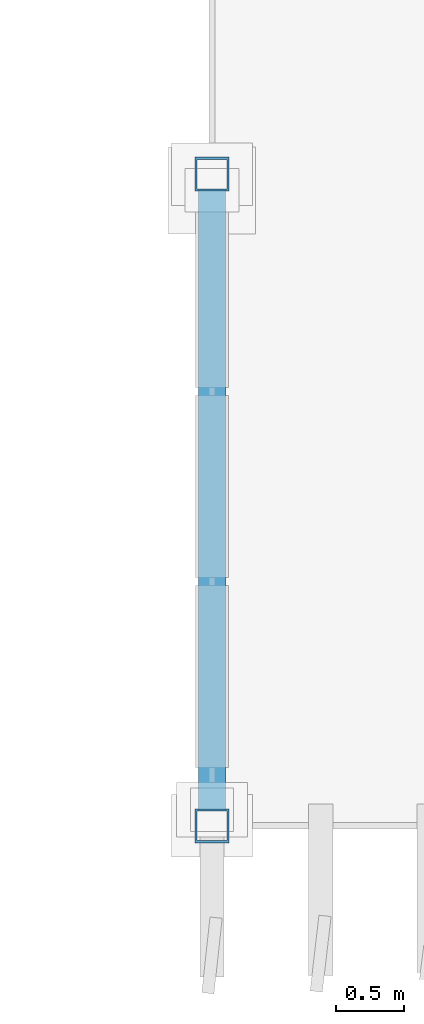
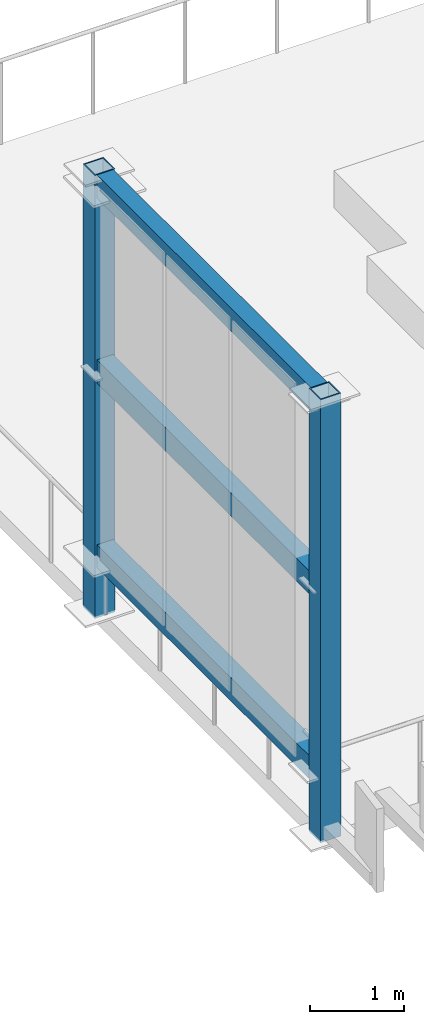
# One storey, part 12 of 45: 5 members.
"""IFC4 building model written with IfcOpenShell, lengths in metres."""

from ifc_helpers import new_model, si_unit, direction, frame, origin, origin_2d, place, context, subcontext, project, spatial, hollow_rectangle, extrude, material, material_profile, profile_set, type_object, element, save


model = new_model("IFC4")

# Units and contexts
model_context = context("Model", 3, precision=1e-05, world=origin(), true_north=direction((0.0, 1.0)))
body_context = subcontext(model_context, "Body", "Model", "MODEL_VIEW")
ifc_project = project(units=[si_unit("LENGTHUNIT", "METRE"), si_unit("AREAUNIT", "SQUARE_METRE"), si_unit("VOLUMEUNIT", "CUBIC_METRE"), si_unit("PLANEANGLEUNIT", "RADIAN"), si_unit("MASSUNIT", "GRAM", prefix="KILO")], contexts=[model_context])

# Site, building, storey
site_placement = place(None, origin())
site = spatial("IfcSite", under=ifc_project, at=site_placement, CompositionType="ELEMENT")
building_placement = place(site_placement, origin())
building = spatial("IfcBuilding", under=site, at=building_placement, Name="Cinchona Park Media Centre", CompositionType="ELEMENT")
storey_placement = place(building_placement, frame((0.0, 0.0, 20.39990234375)))
storey = spatial("IfcBuildingStorey", under=building, at=storey_placement, Name="L04", CompositionType="ELEMENT", Elevation=20.39990234375)

# Members
ifc_material_1 = material(Name="Steel S355", Category="steel")
ifc_material_profile_1 = material_profile(ifc_material_1, hollow_rectangle(XDim=0.25, YDim=0.25, WallThickness=0.01611328125, at=origin_2d()), Name="250X250X16SHS")
ifc_profile_set_1 = profile_set([ifc_material_profile_1], Name="Steel S355")
member_type_1 = type_object("IfcMemberType", Name="MEMBER-TS02-SHS250X250X16", PredefinedType="STRUT", material=ifc_profile_set_1)
for number, where, z_axis, x_axis, name in (
    (1, (62.800048828125, 74.800048828125, 0.0), (0.0, 0.0, 1.0), (1.0, 0.0, 0.0), "Rooftop Screen Portal Strut TS02 L04"),
    (2, (62.800048828125, 79.60009765625, 0.0), (0.0, 0.0, 1.0), (1.0, 0.0, 0.0), "Rooftop Screen Portal Strut TS02 L04"),
):
    element("IfcMember", number, at=place(storey_placement, frame(where, z_axis=z_axis, x_axis=x_axis)), inside=storey, type_object=member_type_1, Name=name, PredefinedType="STRUT", context=body_context, shape_type="SweptSolid", body=[
        extrude(hollow_rectangle(XDim=0.25, YDim=0.25, WallThickness=0.01611328125, at=origin_2d()), origin(), (0.0, 0.0, 1.0), 5.75),
    ])
ifc_material_2 = material(Name="Steel S355", Category="steel")
ifc_material_profile_2 = material_profile(ifc_material_2, hollow_rectangle(XDim=0.199951171875, YDim=0.300048828125, WallThickness=0.01611328125, at=origin_2d()), Name="300X200X16RHS")
ifc_profile_set_2 = profile_set([ifc_material_profile_2], Name="Steel S355")
member_type_2 = type_object("IfcMemberType", Name="MEMBER-TS05-RHS300X200X16", PredefinedType="STRUT", material=ifc_profile_set_2)
for number, where, z_axis, x_axis, name in (
    (3, (62.800048828125, 74.919921875, 0.800048828125), (0.0, 1.0, 0.0), (-1.0, 0.0, 0.0), "Rooftop Open-Air Screen Portal Transom TS05 L04"),
    (4, (62.800048828125, 74.919921875, 3.2001953125), (0.0, 1.0, 0.0), (-1.0, 0.0, 0.0), "Rooftop Open-Air Screen Portal Transom TS05 L04"),
    (5, (62.800048828125, 74.919921875, 5.60009765625), (0.0, 1.0, 0.0), (-1.0, 0.0, 0.0), "Rooftop Open-Air Screen Portal Transom TS05 L04"),
):
    element("IfcMember", number, at=place(storey_placement, frame(where, z_axis=z_axis, x_axis=x_axis)), inside=storey, type_object=member_type_2, Name=name, PredefinedType="STRUT", context=body_context, shape_type="SweptSolid", body=[
        extrude(hollow_rectangle(XDim=0.199951171875, YDim=0.300048828125, WallThickness=0.01611328125, at=origin_2d()), origin(), (0.0, 0.0, 1.0), 4.56005859375),
    ])

save(model, "model.ifc")
